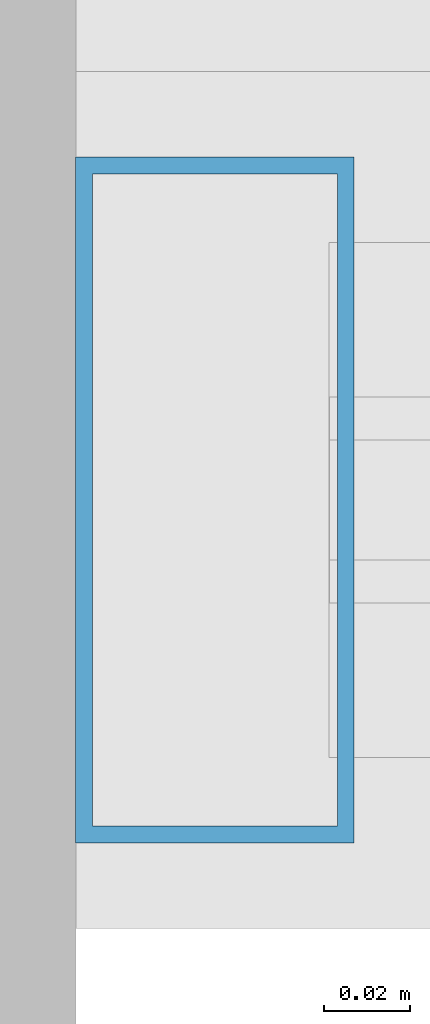
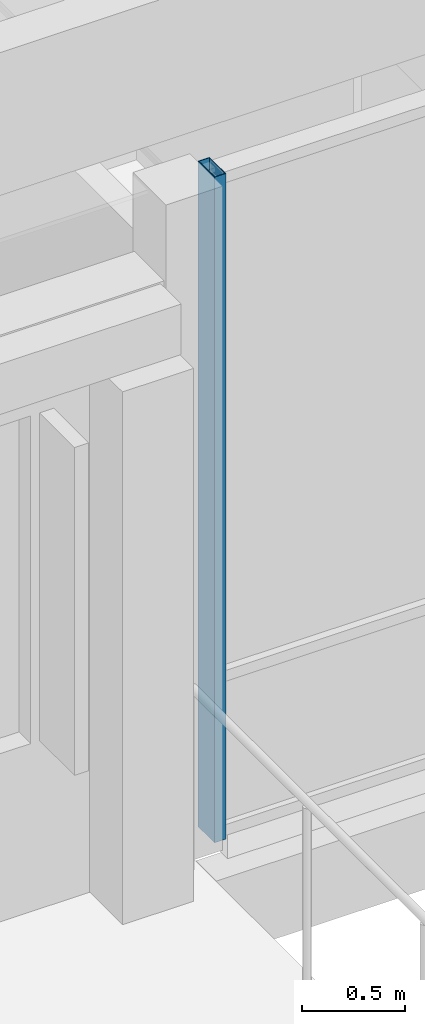
# One storey, part 7 of 32: 1 member, 1 element without a shape of its own.
"""IFC4 building model written with IfcOpenShell, lengths in metres."""

from ifc_helpers import new_model, si_unit, direction, frame, origin, origin_2d, place, context, subcontext, project, spatial, hollow_rectangle, extrude, material, material_profile, profile_set, type_object, element, aggregate, save


model = new_model("IFC4")

# Units and contexts
model_context = context("Model", 3, precision=1e-05, world=origin(), true_north=direction((0.0, 1.0)))
body_context = subcontext(model_context, "Body", "Model", "MODEL_VIEW")
ifc_project = project(units=[si_unit("LENGTHUNIT", "METRE"), si_unit("AREAUNIT", "SQUARE_METRE"), si_unit("VOLUMEUNIT", "CUBIC_METRE"), si_unit("PLANEANGLEUNIT", "RADIAN"), si_unit("MASSUNIT", "GRAM", prefix="KILO")], contexts=[model_context])

# Site, building, storey
site_placement = place(None, origin())
site = spatial("IfcSite", under=ifc_project, at=site_placement, CompositionType="ELEMENT")
building_placement = place(site_placement, origin())
building = spatial("IfcBuilding", under=site, at=building_placement, Name="Hawrajan Terrace Health Centre", CompositionType="ELEMENT")
storey_placement = place(building_placement, frame((0.0, 0.0, 17.39990234375)))
storey = spatial("IfcBuildingStorey", under=building, at=storey_placement, Name="L04", CompositionType="ELEMENT", Elevation=17.39990234375)

# Curtain wall, member
ifc_material_1 = material(Name="Anodized bronze aluminium and low-E solar glazing", Category="aluminium")
curtain_wall_type = type_object("IfcCurtainWallType", Name="CW_Court_SeriesB3", PredefinedType="USERDEFINED", material=ifc_material_1)
curtain_wall_placement = place(storey_placement, origin())
curtain_wall = element("IfcCurtainWall", 1, at=curtain_wall_placement, inside=storey, type_object=curtain_wall_type, Name="Curtain wall CW-L04-174", ObjectType="UNITISED CURTAIN WALL", PredefinedType="USERDEFINED")
ifc_material_2 = material(Name="Anodized bronze aluminium 6063-T6", Category="aluminium")
ifc_material_profile = material_profile(ifc_material_2, hollow_rectangle(XDim=0.06494140625, YDim=0.159912109375, WallThickness=0.00390625, at=origin_2d()), Name="CW MUL 65x160")
ifc_profile_set = profile_set([ifc_material_profile], Name="Anodized bronze aluminium 6063-T6")
member_type = type_object("IfcMemberType", Name="CWMullion_65x160", PredefinedType="MULLION", material=ifc_profile_set)
member_placement = place(storey_placement, frame((19.1923828125, 45.39990234375, -0.0048828125), z_axis=(0.0, 0.0, 1.0), x_axis=(1.0, 0.0, 0.0)))
member = element("IfcMember", 2, at=member_placement, type_object=member_type, Name="Mullion CW-L04-174-M1", PredefinedType="MULLION", context=body_context, shape_type="SweptSolid", body=[
    extrude(hollow_rectangle(XDim=0.06494140625, YDim=0.159912109375, WallThickness=0.00390625, at=origin_2d()), origin(), (0.0, 0.0, 1.0), 3.9599609375),
])
aggregate(curtain_wall, [member])

save(model, "model.ifc")
